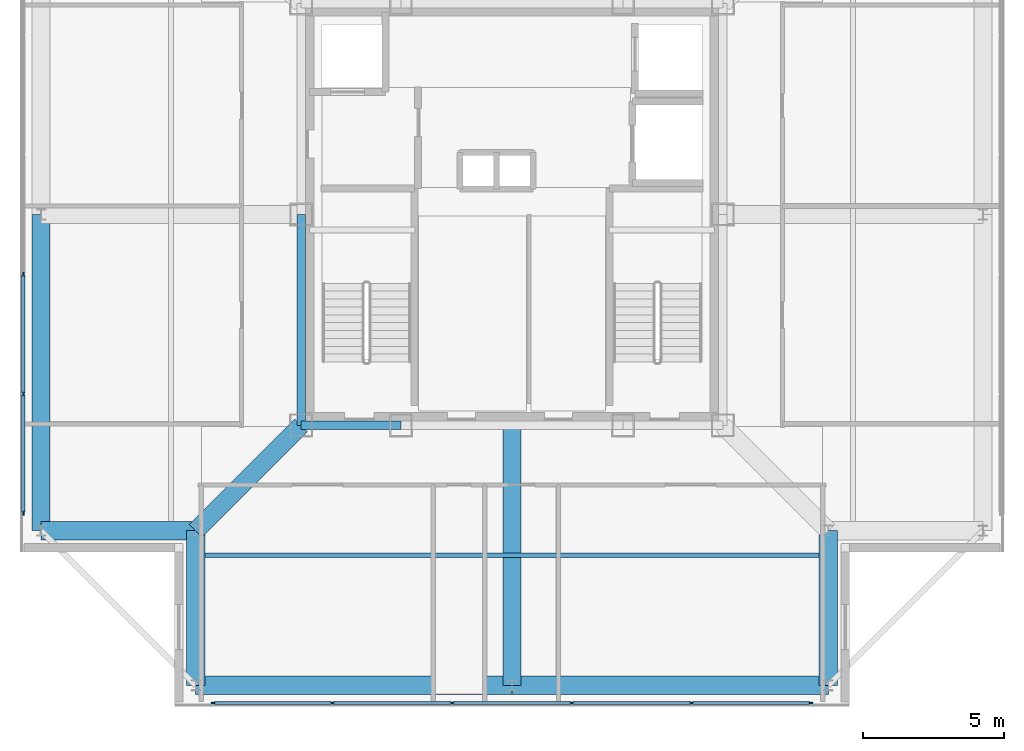
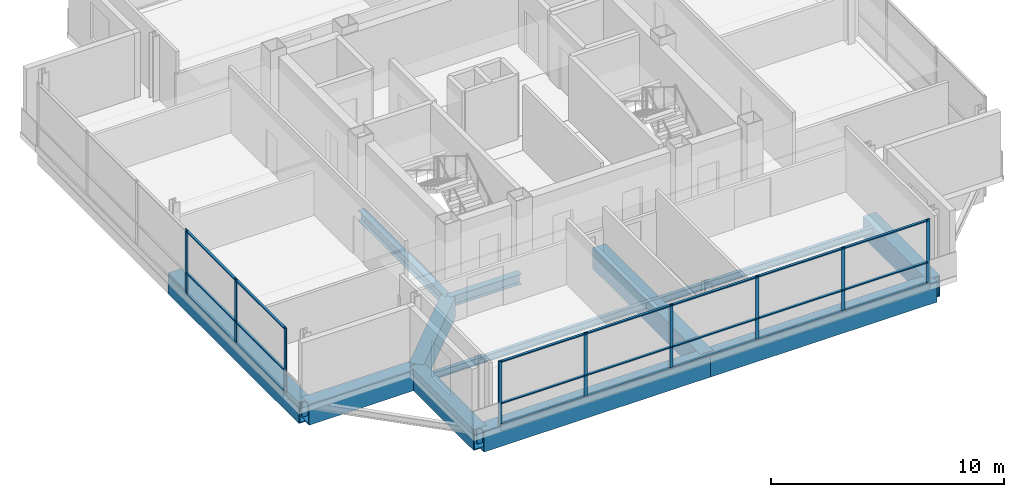
# One storey, part 2 of 12: 30 members, 11 beams, 2 elements without a shape of their own.
"""IFC4 building model written with IfcOpenShell, lengths in metres."""

from ifc_helpers import new_model, si_unit, direction, frame, origin, origin_2d, place, context, subcontext, project, spatial, rectangle, hollow_rectangle, i_section, extrude, material, layer, layer_set, material_profile, profile_set, type_object, element, aggregate, save


model = new_model("IFC4")

# Units and contexts
model_context = context("Model", 3, precision=1e-05, world=origin(), true_north=direction((0.0, 1.0)))
body_context = subcontext(model_context, "Body", "Model", "MODEL_VIEW")
ifc_project = project(units=[si_unit("LENGTHUNIT", "METRE"), si_unit("AREAUNIT", "SQUARE_METRE"), si_unit("VOLUMEUNIT", "CUBIC_METRE"), si_unit("PLANEANGLEUNIT", "RADIAN"), si_unit("MASSUNIT", "GRAM", prefix="KILO")], contexts=[model_context])

# Site, building, storey
site_placement = place(None, origin())
site = spatial("IfcSite", under=ifc_project, at=site_placement, CompositionType="ELEMENT")
building_placement = place(site_placement, origin())
building = spatial("IfcBuilding", under=site, at=building_placement, Name="Trevonay Congress Spire", CompositionType="ELEMENT")
storey_placement = place(building_placement, frame((0.0, 0.0, 304.60009765625)))
storey = spatial("IfcBuildingStorey", under=building, at=storey_placement, Name="L80", CompositionType="ELEMENT", Elevation=304.60009765625)

# Beams
ifc_material_1 = material(Name="Steel ASTM A572 Grade 50", Category="steel")
ifc_material_profile_1 = material_profile(ifc_material_1, i_section(OverallWidth=0.31201171875, OverallDepth=0.54296875, WebThickness=0.0126953125, FlangeThickness=0.020263671875, FilletRadius=0.014892578125, at=origin_2d()), Name="W530x150")
ifc_profile_set_1 = profile_set([ifc_material_profile_1], Name="Steel ASTM A572 Grade 50")
beam_type_1 = type_object("IfcBeamType", Name="BM-GIRD-W530X150", PredefinedType="BEAM", material=ifc_profile_set_1)
beam_1_placement = place(storey_placement, frame((-7.5, -7.5, -0.551513671875), z_axis=(1.0, 0.0, 0.0), x_axis=(0.0, 1.0, 0.0)))
element("IfcBeam", 1, at=beam_1_placement, inside=storey, type_object=beam_type_1, Name="L80 structural beam BM-L80-CR-S1", PredefinedType="BEAM", context=body_context, shape_type="SweptSolid", body=[
    extrude(i_section(OverallWidth=0.31201171875, OverallDepth=0.54296875, WebThickness=0.0126953125, FlangeThickness=0.020263671875, FilletRadius=0.014892578125, at=origin_2d()), origin(), (0.0, 0.0, 1.0), 3.550048828125),
])
beam_2_placement = place(storey_placement, frame((-7.5, -7.5, -0.551513671875), z_axis=(0.0, 1.0, 0.0), x_axis=(-1.0, 0.0, 0.0)))
element("IfcBeam", 2, at=beam_2_placement, inside=storey, type_object=beam_type_1, Name="L80 structural beam BM-L80-CR-W1", PredefinedType="BEAM", context=body_context, shape_type="SweptSolid", body=[
    extrude(i_section(OverallWidth=0.31201171875, OverallDepth=0.54296875, WebThickness=0.0126953125, FlangeThickness=0.020263671875, FilletRadius=0.014892578125, at=origin_2d()), origin(), (0.0, 0.0, 1.0), 7.5),
])
ifc_material_profile_2 = material_profile(ifc_material_1, hollow_rectangle(XDim=0.64990234375, YDim=1.10009765625, WallThickness=0.044921875, at=origin_2d()), Name="BOX 1100x650x45")
ifc_profile_set_2 = profile_set([ifc_material_profile_2], Name="Steel ASTM A572 Grade 50")
beam_type_2 = type_object("IfcBeamType", Name="BM-RING-BOX1100", PredefinedType="BEAM", material=ifc_profile_set_2)
for number, where, z_axis, x_axis, name in (
    (3, (-11.25, -16.75, -0.830078125), (1.0, 0.0, 0.0), (0.0, 1.0, 0.0), "L80 structural beam BM-L80-PS1"),
    (4, (-16.75, -11.25, -0.830078125), (0.0, 1.0, 0.0), (-1.0, 0.0, 0.0), "L80 structural beam BM-L80-PW1"),
    (5, (0.0, -16.75, -0.830078125), (1.0, 0.0, 0.0), (0.0, 1.0, 0.0), "L80 structural beam BM-L80-PS2"),
):
    element("IfcBeam", number, at=place(storey_placement, frame(where, z_axis=z_axis, x_axis=x_axis)), inside=storey, type_object=beam_type_2, Name=name, PredefinedType="BEAM", context=body_context, shape_type="SweptSolid", body=[
        extrude(hollow_rectangle(XDim=0.64990234375, YDim=1.10009765625, WallThickness=0.044921875, at=origin_2d()), origin(), (0.0, 0.0, 1.0), 11.25),
    ])
for number, where, z_axis, x_axis, name in (
    (6, (-11.25, -16.75, -0.830078125), (0.0, 1.0, 0.0), (-1.0, 0.0, 0.0), "L80 structural beam BM-L80-N1SW"),
    (7, (-16.75, -11.25, -0.830078125), (1.0, 0.0, 0.0), (0.0, 1.0, 0.0), "L80 structural beam BM-L80-N2SW"),
    (8, (11.25, -16.75, -0.830078125), (0.0, 1.0, 0.0), (-1.0, 0.0, 0.0), "L80 structural beam BM-L80-N1SE"),
):
    element("IfcBeam", number, at=place(storey_placement, frame(where, z_axis=z_axis, x_axis=x_axis)), inside=storey, type_object=beam_type_2, Name=name, PredefinedType="BEAM", context=body_context, shape_type="SweptSolid", body=[
        extrude(hollow_rectangle(XDim=0.64990234375, YDim=1.10009765625, WallThickness=0.044921875, at=origin_2d()), origin(), (0.0, 0.0, 1.0), 5.5),
    ])
ifc_material_profile_3 = material_profile(ifc_material_1, hollow_rectangle(XDim=0.64990234375, YDim=1.10009765625, WallThickness=0.044921875, at=origin_2d()), Name="BOX 1100x650x45")
ifc_profile_set_3 = profile_set([ifc_material_profile_3], Name="Steel ASTM A572 Grade 50")
beam_type_3 = type_object("IfcBeamType", Name="BM-XFER-BOX1100", PredefinedType="BEAM", material=ifc_profile_set_3)
beam_3_placement = place(storey_placement, frame((-7.5, -7.5, -0.830078125), z_axis=(-0.707106781187, -0.707106781187, 0.0), x_axis=(0.707106781187, -0.707106781187, 0.0)))
element("IfcBeam", 9, at=beam_3_placement, inside=storey, type_object=beam_type_3, Name="L80 structural beam BM-L80-CDSW", PredefinedType="BEAM", context=body_context, shape_type="SweptSolid", body=[
    extrude(hollow_rectangle(XDim=0.64990234375, YDim=1.10009765625, WallThickness=0.044921875, at=origin_2d()), origin(), (0.0, 0.0, 1.0), 5.30322265625),
])
beam_4_placement = place(storey_placement, frame((0.0, -7.5, -0.830078125), z_axis=(0.0, -1.0, 0.0), x_axis=(1.0, 0.0, 0.0)))
element("IfcBeam", 10, at=beam_4_placement, inside=storey, type_object=beam_type_3, Name="L80 structural beam BM-L80-GC-S", PredefinedType="BEAM", context=body_context, shape_type="SweptSolid", body=[
    extrude(hollow_rectangle(XDim=0.64990234375, YDim=1.10009765625, WallThickness=0.044921875, at=origin_2d()), origin(), (0.0, 0.0, 1.0), 9.25),
])

# Curtain wall, members
ifc_material_2 = material(Name="Pale Anodised Aluminium EN AW-6063-T6", Category="aluminium")
ifc_layer = layer(ifc_material_2, 0.159912109375, Name="Pale Anodised Aluminium EN AW-6063-T6")
ifc_layer_set = layer_set([ifc_layer], Name="Pale Anodised Aluminium EN AW-6063-T6")
curtain_wall_type = type_object("IfcCurtainWallType", Name="CW-SYS06-CROWN-PALE-METAL", PredefinedType="NOTDEFINED", material=ifc_layer_set)
curtain_wall_1_placement = place(storey_placement, origin())
curtain_wall_1 = element("IfcCurtainWall", 11, at=curtain_wall_1_placement, inside=storey, type_object=curtain_wall_type, Name="L80 S unitised curtain wall", PredefinedType="NOTDEFINED")
ifc_material_profile_4 = material_profile(ifc_material_2, rectangle(XDim=0.06005859375, YDim=0.159912109375, at=origin_2d()), Name="CW-MULLION-160-ALUMINIUM")
ifc_profile_set_4 = profile_set([ifc_material_profile_4], Name="Pale Anodised Aluminium EN AW-6063-T6")
member_type_1 = type_object("IfcMemberType", Name="CW-MULLION-160-ALUMINIUM", PredefinedType="MULLION", material=ifc_profile_set_4)
member_1_placement = place(storey_placement, frame((-10.6201171875, -17.3798828125, 0.0), z_axis=(0.0, 0.0, 1.0), x_axis=(0.0, 1.0, 0.0)))
member_1 = element("IfcMember", 12, at=member_1_placement, type_object=member_type_1, Name="CW06 mullion 1", PredefinedType="MULLION", context=body_context, shape_type="SweptSolid", body=[
    extrude(rectangle(XDim=0.06005859375, YDim=0.159912109375, at=origin_2d()), origin(), (0.0, 0.0, 1.0), 3.39990234375),
])
member_2_placement = place(storey_placement, frame((-6.389892578125, -17.3798828125, 0.0), z_axis=(0.0, 0.0, 1.0), x_axis=(0.0, 1.0, 0.0)))
member_2 = element("IfcMember", 13, at=member_2_placement, type_object=member_type_1, Name="CW06 mullion 2", PredefinedType="MULLION", context=body_context, shape_type="SweptSolid", body=[
    extrude(rectangle(XDim=0.06005859375, YDim=0.159912109375, at=origin_2d()), origin(), (0.0, 0.0, 1.0), 3.39990234375),
])
member_3_placement = place(storey_placement, frame((-2.1298828125, -17.3798828125, 0.0), z_axis=(0.0, 0.0, 1.0), x_axis=(0.0, 1.0, 0.0)))
member_3 = element("IfcMember", 14, at=member_3_placement, type_object=member_type_1, Name="CW06 mullion 3", PredefinedType="MULLION", context=body_context, shape_type="SweptSolid", body=[
    extrude(rectangle(XDim=0.06005859375, YDim=0.159912109375, at=origin_2d()), origin(), (0.0, 0.0, 1.0), 3.39990234375),
])
member_4_placement = place(storey_placement, frame((2.1298828125, -17.3798828125, 0.0), z_axis=(0.0, 0.0, 1.0), x_axis=(0.0, 1.0, 0.0)))
member_4 = element("IfcMember", 15, at=member_4_placement, type_object=member_type_1, Name="CW06 mullion 4", PredefinedType="MULLION", context=body_context, shape_type="SweptSolid", body=[
    extrude(rectangle(XDim=0.06005859375, YDim=0.159912109375, at=origin_2d()), origin(), (0.0, 0.0, 1.0), 3.39990234375),
])
member_5_placement = place(storey_placement, frame((6.389892578125, -17.3798828125, 0.0), z_axis=(0.0, 0.0, 1.0), x_axis=(0.0, 1.0, 0.0)))
member_5 = element("IfcMember", 16, at=member_5_placement, type_object=member_type_1, Name="CW06 mullion 5", PredefinedType="MULLION", context=body_context, shape_type="SweptSolid", body=[
    extrude(rectangle(XDim=0.06005859375, YDim=0.159912109375, at=origin_2d()), origin(), (0.0, 0.0, 1.0), 3.39990234375),
])
member_6_placement = place(storey_placement, frame((10.6201171875, -17.3798828125, 0.0), z_axis=(0.0, 0.0, 1.0), x_axis=(0.0, 1.0, 0.0)))
member_6 = element("IfcMember", 17, at=member_6_placement, type_object=member_type_1, Name="CW06 mullion 6", PredefinedType="MULLION", context=body_context, shape_type="SweptSolid", body=[
    extrude(rectangle(XDim=0.06005859375, YDim=0.159912109375, at=origin_2d()), origin(), (0.0, 0.0, 1.0), 3.39990234375),
])

curtain_wall_2_placement = place(storey_placement, origin())
curtain_wall_2 = element("IfcCurtainWall", 18, at=curtain_wall_2_placement, inside=storey, type_object=curtain_wall_type, Name="L80 W unitised curtain wall", PredefinedType="NOTDEFINED")
member_7_placement = place(storey_placement, frame((-17.3798828125, -10.6201171875, 0.0), z_axis=(0.0, 0.0, 1.0), x_axis=(-1.0, 0.0, 0.0)))
member_7 = element("IfcMember", 19, at=member_7_placement, type_object=member_type_1, Name="CW06 mullion 1", PredefinedType="MULLION", context=body_context, shape_type="SweptSolid", body=[
    extrude(rectangle(XDim=0.06005859375, YDim=0.159912109375, at=origin_2d()), origin(), (0.0, 0.0, 1.0), 3.39990234375),
])
member_8_placement = place(storey_placement, frame((-17.3798828125, -6.389892578125, 0.0), z_axis=(0.0, 0.0, 1.0), x_axis=(-1.0, 0.0, 0.0)))
member_8 = element("IfcMember", 20, at=member_8_placement, type_object=member_type_1, Name="CW06 mullion 2", PredefinedType="MULLION", context=body_context, shape_type="SweptSolid", body=[
    extrude(rectangle(XDim=0.06005859375, YDim=0.159912109375, at=origin_2d()), origin(), (0.0, 0.0, 1.0), 3.39990234375),
])
member_9_placement = place(storey_placement, frame((-17.3798828125, -2.1298828125, 0.0), z_axis=(0.0, 0.0, 1.0), x_axis=(-1.0, 0.0, 0.0)))
member_9 = element("IfcMember", 21, at=member_9_placement, type_object=member_type_1, Name="CW06 mullion 3", PredefinedType="MULLION", context=body_context, shape_type="SweptSolid", body=[
    extrude(rectangle(XDim=0.06005859375, YDim=0.159912109375, at=origin_2d()), origin(), (0.0, 0.0, 1.0), 3.39990234375),
])

# Member
ifc_material_profile_5 = material_profile(ifc_material_2, rectangle(XDim=0.1201171875, YDim=0.06005859375, at=origin_2d()), Name="CW-TRANSOM-120-ALUMINIUM")
ifc_profile_set_5 = profile_set([ifc_material_profile_5], Name="Pale Anodised Aluminium EN AW-6063-T6")
member_type_2 = type_object("IfcMemberType", Name="CW-TRANSOM-120-ALUMINIUM", PredefinedType="USERDEFINED", material=ifc_profile_set_5)
member_10_placement = place(storey_placement, frame((-10.590087890625, -17.3798828125, 0.059814453125), z_axis=(1.0, 0.0, 0.0), x_axis=(0.0, 1.0, 0.0)))
member_10 = element("IfcMember", 22, at=member_10_placement, type_object=member_type_2, Name="CW06 transom 1.1", ObjectType="TRANSOM", PredefinedType="USERDEFINED", context=body_context, shape_type="SweptSolid", body=[
    extrude(rectangle(XDim=0.1201171875, YDim=0.06005859375, at=origin_2d()), origin(), (0.0, 0.0, 1.0), 4.170166015625),
])

member_11_placement = place(storey_placement, frame((-10.590087890625, -17.3798828125, 1.156005859375), z_axis=(1.0, 0.0, 0.0), x_axis=(0.0, 1.0, 0.0)))
member_11 = element("IfcMember", 23, at=member_11_placement, type_object=member_type_2, Name="CW06 transom 1.2", ObjectType="TRANSOM", PredefinedType="USERDEFINED", context=body_context, shape_type="SweptSolid", body=[
    extrude(rectangle(XDim=0.1201171875, YDim=0.06005859375, at=origin_2d()), origin(), (0.0, 0.0, 1.0), 4.170166015625),
])

member_12_placement = place(storey_placement, frame((-10.590087890625, -17.3798828125, 3.33984375), z_axis=(1.0, 0.0, 0.0), x_axis=(0.0, 1.0, 0.0)))
member_12 = element("IfcMember", 24, at=member_12_placement, type_object=member_type_2, Name="CW06 transom 1.3", ObjectType="TRANSOM", PredefinedType="USERDEFINED", context=body_context, shape_type="SweptSolid", body=[
    extrude(rectangle(XDim=0.1201171875, YDim=0.06005859375, at=origin_2d()), origin(), (0.0, 0.0, 1.0), 4.170166015625),
])

member_13_placement = place(storey_placement, frame((-6.360107421875, -17.3798828125, 0.059814453125), z_axis=(1.0, 0.0, 0.0), x_axis=(0.0, 1.0, 0.0)))
member_13 = element("IfcMember", 25, at=member_13_placement, type_object=member_type_2, Name="CW06 transom 2.1", ObjectType="TRANSOM", PredefinedType="USERDEFINED", context=body_context, shape_type="SweptSolid", body=[
    extrude(rectangle(XDim=0.1201171875, YDim=0.06005859375, at=origin_2d()), origin(), (0.0, 0.0, 1.0), 4.2001953125),
])

member_14_placement = place(storey_placement, frame((-6.360107421875, -17.3798828125, 1.156005859375), z_axis=(1.0, 0.0, 0.0), x_axis=(0.0, 1.0, 0.0)))
member_14 = element("IfcMember", 26, at=member_14_placement, type_object=member_type_2, Name="CW06 transom 2.2", ObjectType="TRANSOM", PredefinedType="USERDEFINED", context=body_context, shape_type="SweptSolid", body=[
    extrude(rectangle(XDim=0.1201171875, YDim=0.06005859375, at=origin_2d()), origin(), (0.0, 0.0, 1.0), 4.2001953125),
])

member_15_placement = place(storey_placement, frame((-6.360107421875, -17.3798828125, 3.33984375), z_axis=(1.0, 0.0, 0.0), x_axis=(0.0, 1.0, 0.0)))
member_15 = element("IfcMember", 27, at=member_15_placement, type_object=member_type_2, Name="CW06 transom 2.3", ObjectType="TRANSOM", PredefinedType="USERDEFINED", context=body_context, shape_type="SweptSolid", body=[
    extrude(rectangle(XDim=0.1201171875, YDim=0.06005859375, at=origin_2d()), origin(), (0.0, 0.0, 1.0), 4.2001953125),
])

member_16_placement = place(storey_placement, frame((-2.10009765625, -17.3798828125, 0.059814453125), z_axis=(1.0, 0.0, 0.0), x_axis=(0.0, 1.0, 0.0)))
member_16 = element("IfcMember", 28, at=member_16_placement, type_object=member_type_2, Name="CW06 transom 3.1", ObjectType="TRANSOM", PredefinedType="USERDEFINED", context=body_context, shape_type="SweptSolid", body=[
    extrude(rectangle(XDim=0.1201171875, YDim=0.06005859375, at=origin_2d()), origin(), (0.0, 0.0, 1.0), 4.2001953125),
])

member_17_placement = place(storey_placement, frame((-2.10009765625, -17.3798828125, 1.156005859375), z_axis=(1.0, 0.0, 0.0), x_axis=(0.0, 1.0, 0.0)))
member_17 = element("IfcMember", 29, at=member_17_placement, type_object=member_type_2, Name="CW06 transom 3.2", ObjectType="TRANSOM", PredefinedType="USERDEFINED", context=body_context, shape_type="SweptSolid", body=[
    extrude(rectangle(XDim=0.1201171875, YDim=0.06005859375, at=origin_2d()), origin(), (0.0, 0.0, 1.0), 4.2001953125),
])

member_18_placement = place(storey_placement, frame((-2.10009765625, -17.3798828125, 3.33984375), z_axis=(1.0, 0.0, 0.0), x_axis=(0.0, 1.0, 0.0)))
member_18 = element("IfcMember", 30, at=member_18_placement, type_object=member_type_2, Name="CW06 transom 3.3", ObjectType="TRANSOM", PredefinedType="USERDEFINED", context=body_context, shape_type="SweptSolid", body=[
    extrude(rectangle(XDim=0.1201171875, YDim=0.06005859375, at=origin_2d()), origin(), (0.0, 0.0, 1.0), 4.2001953125),
])

member_19_placement = place(storey_placement, frame((2.159912109375, -17.3798828125, 0.059814453125), z_axis=(1.0, 0.0, 0.0), x_axis=(0.0, 1.0, 0.0)))
member_19 = element("IfcMember", 31, at=member_19_placement, type_object=member_type_2, Name="CW06 transom 4.1", ObjectType="TRANSOM", PredefinedType="USERDEFINED", context=body_context, shape_type="SweptSolid", body=[
    extrude(rectangle(XDim=0.1201171875, YDim=0.06005859375, at=origin_2d()), origin(), (0.0, 0.0, 1.0), 4.2001953125),
])

member_20_placement = place(storey_placement, frame((2.159912109375, -17.3798828125, 1.156005859375), z_axis=(1.0, 0.0, 0.0), x_axis=(0.0, 1.0, 0.0)))
member_20 = element("IfcMember", 32, at=member_20_placement, type_object=member_type_2, Name="CW06 transom 4.2", ObjectType="TRANSOM", PredefinedType="USERDEFINED", context=body_context, shape_type="SweptSolid", body=[
    extrude(rectangle(XDim=0.1201171875, YDim=0.06005859375, at=origin_2d()), origin(), (0.0, 0.0, 1.0), 4.2001953125),
])

member_21_placement = place(storey_placement, frame((2.159912109375, -17.3798828125, 3.33984375), z_axis=(1.0, 0.0, 0.0), x_axis=(0.0, 1.0, 0.0)))
member_21 = element("IfcMember", 33, at=member_21_placement, type_object=member_type_2, Name="CW06 transom 4.3", ObjectType="TRANSOM", PredefinedType="USERDEFINED", context=body_context, shape_type="SweptSolid", body=[
    extrude(rectangle(XDim=0.1201171875, YDim=0.06005859375, at=origin_2d()), origin(), (0.0, 0.0, 1.0), 4.2001953125),
])

member_22_placement = place(storey_placement, frame((6.419921875, -17.3798828125, 0.059814453125), z_axis=(1.0, 0.0, 0.0), x_axis=(0.0, 1.0, 0.0)))
member_22 = element("IfcMember", 34, at=member_22_placement, type_object=member_type_2, Name="CW06 transom 5.1", ObjectType="TRANSOM", PredefinedType="USERDEFINED", context=body_context, shape_type="SweptSolid", body=[
    extrude(rectangle(XDim=0.1201171875, YDim=0.06005859375, at=origin_2d()), origin(), (0.0, 0.0, 1.0), 4.170166015625),
])

member_23_placement = place(storey_placement, frame((6.419921875, -17.3798828125, 1.156005859375), z_axis=(1.0, 0.0, 0.0), x_axis=(0.0, 1.0, 0.0)))
member_23 = element("IfcMember", 35, at=member_23_placement, type_object=member_type_2, Name="CW06 transom 5.2", ObjectType="TRANSOM", PredefinedType="USERDEFINED", context=body_context, shape_type="SweptSolid", body=[
    extrude(rectangle(XDim=0.1201171875, YDim=0.06005859375, at=origin_2d()), origin(), (0.0, 0.0, 1.0), 4.170166015625),
])

member_24_placement = place(storey_placement, frame((6.419921875, -17.3798828125, 3.33984375), z_axis=(1.0, 0.0, 0.0), x_axis=(0.0, 1.0, 0.0)))
member_24 = element("IfcMember", 36, at=member_24_placement, type_object=member_type_2, Name="CW06 transom 5.3", ObjectType="TRANSOM", PredefinedType="USERDEFINED", context=body_context, shape_type="SweptSolid", body=[
    extrude(rectangle(XDim=0.1201171875, YDim=0.06005859375, at=origin_2d()), origin(), (0.0, 0.0, 1.0), 4.170166015625),
])

aggregate(curtain_wall_1, [member_1, member_2, member_3, member_4, member_5, member_6, member_10, member_11, member_12, member_13, member_14, member_15, member_16, member_17, member_18, member_19, member_20, member_21, member_22, member_23, member_24])

member_25_placement = place(storey_placement, frame((-17.3798828125, -10.590087890625, 0.059814453125), z_axis=(0.0, 1.0, 0.0), x_axis=(-1.0, 0.0, 0.0)))
member_25 = element("IfcMember", 37, at=member_25_placement, type_object=member_type_2, Name="CW06 transom 1.1", ObjectType="TRANSOM", PredefinedType="USERDEFINED", context=body_context, shape_type="SweptSolid", body=[
    extrude(rectangle(XDim=0.1201171875, YDim=0.06005859375, at=origin_2d()), origin(), (0.0, 0.0, 1.0), 4.170166015625),
])

member_26_placement = place(storey_placement, frame((-17.3798828125, -10.590087890625, 1.156005859375), z_axis=(0.0, 1.0, 0.0), x_axis=(-1.0, 0.0, 0.0)))
member_26 = element("IfcMember", 38, at=member_26_placement, type_object=member_type_2, Name="CW06 transom 1.2", ObjectType="TRANSOM", PredefinedType="USERDEFINED", context=body_context, shape_type="SweptSolid", body=[
    extrude(rectangle(XDim=0.1201171875, YDim=0.06005859375, at=origin_2d()), origin(), (0.0, 0.0, 1.0), 4.170166015625),
])

member_27_placement = place(storey_placement, frame((-17.3798828125, -10.590087890625, 3.33984375), z_axis=(0.0, 1.0, 0.0), x_axis=(-1.0, 0.0, 0.0)))
member_27 = element("IfcMember", 39, at=member_27_placement, type_object=member_type_2, Name="CW06 transom 1.3", ObjectType="TRANSOM", PredefinedType="USERDEFINED", context=body_context, shape_type="SweptSolid", body=[
    extrude(rectangle(XDim=0.1201171875, YDim=0.06005859375, at=origin_2d()), origin(), (0.0, 0.0, 1.0), 4.170166015625),
])

member_28_placement = place(storey_placement, frame((-17.3798828125, -6.360107421875, 0.059814453125), z_axis=(0.0, 1.0, 0.0), x_axis=(-1.0, 0.0, 0.0)))
member_28 = element("IfcMember", 40, at=member_28_placement, type_object=member_type_2, Name="CW06 transom 2.1", ObjectType="TRANSOM", PredefinedType="USERDEFINED", context=body_context, shape_type="SweptSolid", body=[
    extrude(rectangle(XDim=0.1201171875, YDim=0.06005859375, at=origin_2d()), origin(), (0.0, 0.0, 1.0), 4.2001953125),
])

member_29_placement = place(storey_placement, frame((-17.3798828125, -6.360107421875, 1.156005859375), z_axis=(0.0, 1.0, 0.0), x_axis=(-1.0, 0.0, 0.0)))
member_29 = element("IfcMember", 41, at=member_29_placement, type_object=member_type_2, Name="CW06 transom 2.2", ObjectType="TRANSOM", PredefinedType="USERDEFINED", context=body_context, shape_type="SweptSolid", body=[
    extrude(rectangle(XDim=0.1201171875, YDim=0.06005859375, at=origin_2d()), origin(), (0.0, 0.0, 1.0), 4.2001953125),
])

member_30_placement = place(storey_placement, frame((-17.3798828125, -6.360107421875, 3.33984375), z_axis=(0.0, 1.0, 0.0), x_axis=(-1.0, 0.0, 0.0)))
member_30 = element("IfcMember", 42, at=member_30_placement, type_object=member_type_2, Name="CW06 transom 2.3", ObjectType="TRANSOM", PredefinedType="USERDEFINED", context=body_context, shape_type="SweptSolid", body=[
    extrude(rectangle(XDim=0.1201171875, YDim=0.06005859375, at=origin_2d()), origin(), (0.0, 0.0, 1.0), 4.2001953125),
])

aggregate(curtain_wall_2, [member_7, member_8, member_9, member_25, member_26, member_27, member_28, member_29, member_30])

# Beam
ifc_material_profile_6 = material_profile(ifc_material_1, i_section(OverallWidth=0.172119140625, OverallDepth=0.35791015625, WebThickness=0.0078125, FlangeThickness=0.01318359375, FilletRadius=0.011962890625, at=origin_2d()), Name="W360x57.8")
ifc_profile_set_6 = profile_set([ifc_material_profile_6], Name="Steel ASTM A572 Grade 50")
beam_type_4 = type_object("IfcBeamType", Name="JS-COMP-W360X57", PredefinedType="JOIST", material=ifc_profile_set_6)
beam_5_placement = place(storey_placement, frame((-11.25, -12.125, -0.458984375), z_axis=(1.0, 0.0, 0.0), x_axis=(0.0, 1.0, 0.0)))
element("IfcBeam", 43, at=beam_5_placement, inside=storey, type_object=beam_type_4, Name="L80 structural beam JS-L80-RING-S", PredefinedType="JOIST", context=body_context, shape_type="SweptSolid", body=[
    extrude(i_section(OverallWidth=0.172119140625, OverallDepth=0.35791015625, WebThickness=0.0078125, FlangeThickness=0.01318359375, FilletRadius=0.011962890625, at=origin_2d()), origin(), (0.0, 0.0, 1.0), 22.5),
])

save(model, "model.ifc")
